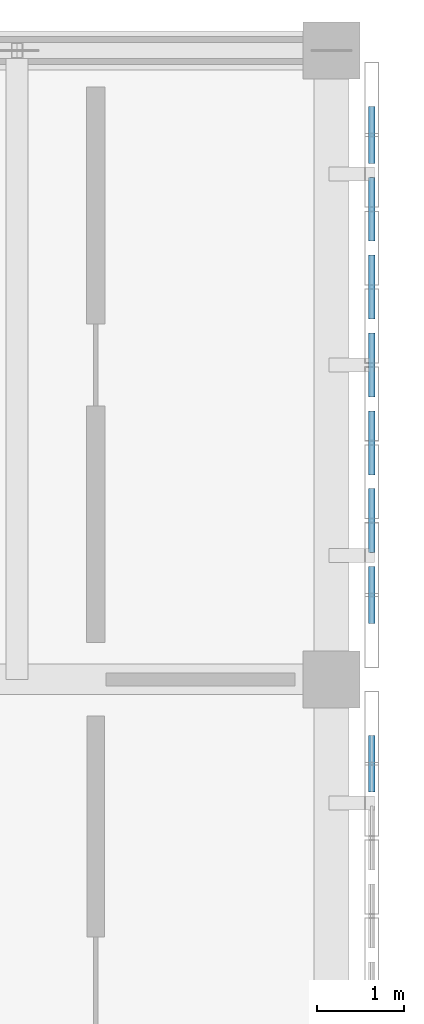
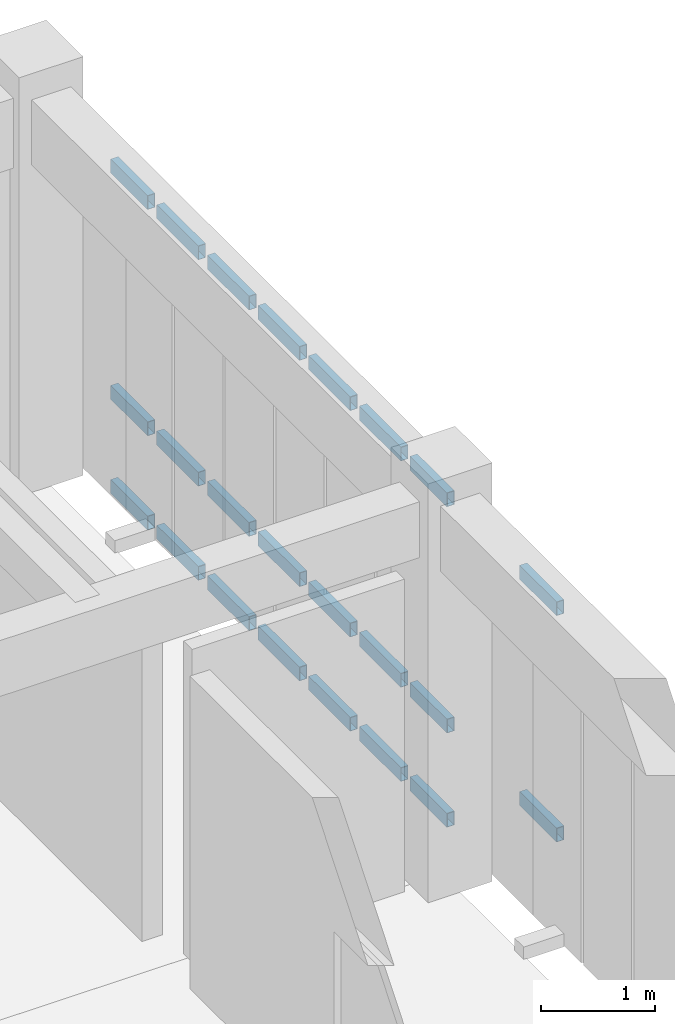
# One storey, part 91 of 171: 23 members, 2 elements without a shape of their own.
"""IFC4 building model written with IfcOpenShell, lengths in metres."""

from ifc_helpers import new_model, si_unit, direction, frame, origin, origin_2d, place, context, subcontext, project, spatial, hollow_rectangle, extrude, material, material_profile, profile_set, type_object, element, aggregate, save


model = new_model("IFC4")

# Units and contexts
model_context = context("Model", 3, precision=1e-05, world=origin(), true_north=direction((0.0, 1.0)))
body_context = subcontext(model_context, "Body", "Model", "MODEL_VIEW")
ifc_project = project(units=[si_unit("LENGTHUNIT", "METRE"), si_unit("AREAUNIT", "SQUARE_METRE"), si_unit("VOLUMEUNIT", "CUBIC_METRE"), si_unit("PLANEANGLEUNIT", "RADIAN"), si_unit("MASSUNIT", "GRAM", prefix="KILO")], contexts=[model_context])

# Site, building, storey
site_placement = place(None, origin())
site = spatial("IfcSite", under=ifc_project, at=site_placement, CompositionType="ELEMENT")
building_placement = place(site_placement, origin())
building = spatial("IfcBuilding", under=site, at=building_placement, Name="Aldebral Square Health Centre", CompositionType="ELEMENT")
storey_placement = place(building_placement, frame((0.0, 0.0, 4.5)))
storey = spatial("IfcBuildingStorey", under=building, at=storey_placement, Name="L01", CompositionType="ELEMENT", Elevation=4.5)

# Curtain wall, members
ifc_material_1 = material(Name="Aluminium and low-E solar glass", Category="aluminium")
curtain_wall_type = type_object("IfcCurtainWallType", Name="CW-FIN-SYS", PredefinedType="USERDEFINED", material=ifc_material_1)
curtain_wall_1_placement = place(storey_placement, origin())
curtain_wall_1 = element("IfcCurtainWall", 1, at=curtain_wall_1_placement, inside=storey, type_object=curtain_wall_type, Name="L01 V5 finned curtain wall L01-V5-22-14-E", ObjectType="SOLAR_CURTAIN_WALL", PredefinedType="USERDEFINED")
ifc_material_2 = material(Name="Anodised aluminium transom", Category="aluminium")
ifc_material_profile = material_profile(ifc_material_2, hollow_rectangle(XDim=0.074951171875, YDim=0.14990234375, WallThickness=0.00390625, at=origin_2d()), Name="CWT 75x150x4")
ifc_profile_set = profile_set([ifc_material_profile], Name="Anodised aluminium transom")
member_type = type_object("IfcMemberType", Name="CWT-STD", PredefinedType="USERDEFINED", material=ifc_profile_set)
member_1_placement = place(storey_placement, frame((166.06005859375, 106.70849609375, 1.050048828125), z_axis=(0.0, 1.0, 0.0), x_axis=(-1.0, 0.0, 0.0)))
member_1 = element("IfcMember", 2, at=member_1_placement, type_object=member_type, Name="CW1 transom 7.2", ObjectType="TRANSOM", PredefinedType="USERDEFINED", context=body_context, shape_type="SweptSolid", body=[
    extrude(hollow_rectangle(XDim=0.074951171875, YDim=0.14990234375, WallThickness=0.00390625, at=origin_2d()), origin(), (0.0, 0.0, 1.0), 0.651611328125),
])
member_2_placement = place(storey_placement, frame((166.06005859375, 106.70849609375, 3.482421875), z_axis=(0.0, 1.0, 0.0), x_axis=(-1.0, 0.0, 0.0)))
member_2 = element("IfcMember", 3, at=member_2_placement, type_object=member_type, Name="CW1 transom 7.3", ObjectType="TRANSOM", PredefinedType="USERDEFINED", context=body_context, shape_type="SweptSolid", body=[
    extrude(hollow_rectangle(XDim=0.074951171875, YDim=0.14990234375, WallThickness=0.00390625, at=origin_2d()), origin(), (0.0, 0.0, 1.0), 0.651611328125),
])
aggregate(curtain_wall_1, [member_1, member_2])

curtain_wall_2_placement = place(storey_placement, origin())
curtain_wall_2 = element("IfcCurtainWall", 4, at=curtain_wall_2_placement, inside=storey, type_object=curtain_wall_type, Name="L01 V5 finned curtain wall L01-V5-22-15-E", ObjectType="SOLAR_CURTAIN_WALL", PredefinedType="USERDEFINED")
member_3_placement = place(storey_placement, frame((166.06005859375, 108.639892578125, 0.03759765625), z_axis=(0.0, 1.0, 0.0), x_axis=(-1.0, 0.0, 0.0)))
member_3 = element("IfcMember", 5, at=member_3_placement, type_object=member_type, Name="CW1 transom 1.1", ObjectType="TRANSOM", PredefinedType="USERDEFINED", context=body_context, shape_type="SweptSolid", body=[
    extrude(hollow_rectangle(XDim=0.074951171875, YDim=0.14990234375, WallThickness=0.00390625, at=origin_2d()), origin(), (0.0, 0.0, 1.0), 0.651611328125),
])
member_4_placement = place(storey_placement, frame((166.06005859375, 108.639892578125, 1.050048828125), z_axis=(0.0, 1.0, 0.0), x_axis=(-1.0, 0.0, 0.0)))
member_4 = element("IfcMember", 6, at=member_4_placement, type_object=member_type, Name="CW1 transom 1.2", ObjectType="TRANSOM", PredefinedType="USERDEFINED", context=body_context, shape_type="SweptSolid", body=[
    extrude(hollow_rectangle(XDim=0.074951171875, YDim=0.14990234375, WallThickness=0.00390625, at=origin_2d()), origin(), (0.0, 0.0, 1.0), 0.651611328125),
])
member_5_placement = place(storey_placement, frame((166.06005859375, 108.639892578125, 3.482421875), z_axis=(0.0, 1.0, 0.0), x_axis=(-1.0, 0.0, 0.0)))
member_5 = element("IfcMember", 7, at=member_5_placement, type_object=member_type, Name="CW1 transom 1.3", ObjectType="TRANSOM", PredefinedType="USERDEFINED", context=body_context, shape_type="SweptSolid", body=[
    extrude(hollow_rectangle(XDim=0.074951171875, YDim=0.14990234375, WallThickness=0.00390625, at=origin_2d()), origin(), (0.0, 0.0, 1.0), 0.651611328125),
])
member_6_placement = place(storey_placement, frame((166.06005859375, 109.451416015625, 0.03759765625), z_axis=(0.0, 1.0, 0.0), x_axis=(-1.0, 0.0, 0.0)))
member_6 = element("IfcMember", 8, at=member_6_placement, type_object=member_type, Name="CW1 transom 2.1", ObjectType="TRANSOM", PredefinedType="USERDEFINED", context=body_context, shape_type="SweptSolid", body=[
    extrude(hollow_rectangle(XDim=0.074951171875, YDim=0.14990234375, WallThickness=0.00390625, at=origin_2d()), origin(), (0.0, 0.0, 1.0), 0.7314453125),
])
member_7_placement = place(storey_placement, frame((166.06005859375, 109.451416015625, 1.050048828125), z_axis=(0.0, 1.0, 0.0), x_axis=(-1.0, 0.0, 0.0)))
member_7 = element("IfcMember", 9, at=member_7_placement, type_object=member_type, Name="CW1 transom 2.2", ObjectType="TRANSOM", PredefinedType="USERDEFINED", context=body_context, shape_type="SweptSolid", body=[
    extrude(hollow_rectangle(XDim=0.074951171875, YDim=0.14990234375, WallThickness=0.00390625, at=origin_2d()), origin(), (0.0, 0.0, 1.0), 0.7314453125),
])
member_8_placement = place(storey_placement, frame((166.06005859375, 109.451416015625, 3.482421875), z_axis=(0.0, 1.0, 0.0), x_axis=(-1.0, 0.0, 0.0)))
member_8 = element("IfcMember", 10, at=member_8_placement, type_object=member_type, Name="CW1 transom 2.3", ObjectType="TRANSOM", PredefinedType="USERDEFINED", context=body_context, shape_type="SweptSolid", body=[
    extrude(hollow_rectangle(XDim=0.074951171875, YDim=0.14990234375, WallThickness=0.00390625, at=origin_2d()), origin(), (0.0, 0.0, 1.0), 0.7314453125),
])
member_9_placement = place(storey_placement, frame((166.06005859375, 110.3427734375, 0.03759765625), z_axis=(0.0, 1.0, 0.0), x_axis=(-1.0, 0.0, 0.0)))
member_9 = element("IfcMember", 11, at=member_9_placement, type_object=member_type, Name="CW1 transom 3.1", ObjectType="TRANSOM", PredefinedType="USERDEFINED", context=body_context, shape_type="SweptSolid", body=[
    extrude(hollow_rectangle(XDim=0.074951171875, YDim=0.14990234375, WallThickness=0.00390625, at=origin_2d()), origin(), (0.0, 0.0, 1.0), 0.7314453125),
])
member_10_placement = place(storey_placement, frame((166.06005859375, 110.3427734375, 1.050048828125), z_axis=(0.0, 1.0, 0.0), x_axis=(-1.0, 0.0, 0.0)))
member_10 = element("IfcMember", 12, at=member_10_placement, type_object=member_type, Name="CW1 transom 3.2", ObjectType="TRANSOM", PredefinedType="USERDEFINED", context=body_context, shape_type="SweptSolid", body=[
    extrude(hollow_rectangle(XDim=0.074951171875, YDim=0.14990234375, WallThickness=0.00390625, at=origin_2d()), origin(), (0.0, 0.0, 1.0), 0.7314453125),
])
member_11_placement = place(storey_placement, frame((166.06005859375, 110.3427734375, 3.482421875), z_axis=(0.0, 1.0, 0.0), x_axis=(-1.0, 0.0, 0.0)))
member_11 = element("IfcMember", 13, at=member_11_placement, type_object=member_type, Name="CW1 transom 3.3", ObjectType="TRANSOM", PredefinedType="USERDEFINED", context=body_context, shape_type="SweptSolid", body=[
    extrude(hollow_rectangle(XDim=0.074951171875, YDim=0.14990234375, WallThickness=0.00390625, at=origin_2d()), origin(), (0.0, 0.0, 1.0), 0.7314453125),
])
member_12_placement = place(storey_placement, frame((166.06005859375, 111.234375, 0.03759765625), z_axis=(0.0, 1.0, 0.0), x_axis=(-1.0, 0.0, 0.0)))
member_12 = element("IfcMember", 14, at=member_12_placement, type_object=member_type, Name="CW1 transom 4.1", ObjectType="TRANSOM", PredefinedType="USERDEFINED", context=body_context, shape_type="SweptSolid", body=[
    extrude(hollow_rectangle(XDim=0.074951171875, YDim=0.14990234375, WallThickness=0.00390625, at=origin_2d()), origin(), (0.0, 0.0, 1.0), 0.7314453125),
])
member_13_placement = place(storey_placement, frame((166.06005859375, 111.234375, 1.050048828125), z_axis=(0.0, 1.0, 0.0), x_axis=(-1.0, 0.0, 0.0)))
member_13 = element("IfcMember", 15, at=member_13_placement, type_object=member_type, Name="CW1 transom 4.2", ObjectType="TRANSOM", PredefinedType="USERDEFINED", context=body_context, shape_type="SweptSolid", body=[
    extrude(hollow_rectangle(XDim=0.074951171875, YDim=0.14990234375, WallThickness=0.00390625, at=origin_2d()), origin(), (0.0, 0.0, 1.0), 0.7314453125),
])
member_14_placement = place(storey_placement, frame((166.06005859375, 111.234375, 3.482421875), z_axis=(0.0, 1.0, 0.0), x_axis=(-1.0, 0.0, 0.0)))
member_14 = element("IfcMember", 16, at=member_14_placement, type_object=member_type, Name="CW1 transom 4.3", ObjectType="TRANSOM", PredefinedType="USERDEFINED", context=body_context, shape_type="SweptSolid", body=[
    extrude(hollow_rectangle(XDim=0.074951171875, YDim=0.14990234375, WallThickness=0.00390625, at=origin_2d()), origin(), (0.0, 0.0, 1.0), 0.7314453125),
])
member_15_placement = place(storey_placement, frame((166.06005859375, 112.125732421875, 0.03759765625), z_axis=(0.0, 1.0, 0.0), x_axis=(-1.0, 0.0, 0.0)))
member_15 = element("IfcMember", 17, at=member_15_placement, type_object=member_type, Name="CW1 transom 5.1", ObjectType="TRANSOM", PredefinedType="USERDEFINED", context=body_context, shape_type="SweptSolid", body=[
    extrude(hollow_rectangle(XDim=0.074951171875, YDim=0.14990234375, WallThickness=0.00390625, at=origin_2d()), origin(), (0.0, 0.0, 1.0), 0.7314453125),
])
member_16_placement = place(storey_placement, frame((166.06005859375, 112.125732421875, 1.050048828125), z_axis=(0.0, 1.0, 0.0), x_axis=(-1.0, 0.0, 0.0)))
member_16 = element("IfcMember", 18, at=member_16_placement, type_object=member_type, Name="CW1 transom 5.2", ObjectType="TRANSOM", PredefinedType="USERDEFINED", context=body_context, shape_type="SweptSolid", body=[
    extrude(hollow_rectangle(XDim=0.074951171875, YDim=0.14990234375, WallThickness=0.00390625, at=origin_2d()), origin(), (0.0, 0.0, 1.0), 0.7314453125),
])
member_17_placement = place(storey_placement, frame((166.06005859375, 112.125732421875, 3.482421875), z_axis=(0.0, 1.0, 0.0), x_axis=(-1.0, 0.0, 0.0)))
member_17 = element("IfcMember", 19, at=member_17_placement, type_object=member_type, Name="CW1 transom 5.3", ObjectType="TRANSOM", PredefinedType="USERDEFINED", context=body_context, shape_type="SweptSolid", body=[
    extrude(hollow_rectangle(XDim=0.074951171875, YDim=0.14990234375, WallThickness=0.00390625, at=origin_2d()), origin(), (0.0, 0.0, 1.0), 0.7314453125),
])
member_18_placement = place(storey_placement, frame((166.06005859375, 113.01708984375, 0.03759765625), z_axis=(0.0, 1.0, 0.0), x_axis=(-1.0, 0.0, 0.0)))
member_18 = element("IfcMember", 20, at=member_18_placement, type_object=member_type, Name="CW1 transom 6.1", ObjectType="TRANSOM", PredefinedType="USERDEFINED", context=body_context, shape_type="SweptSolid", body=[
    extrude(hollow_rectangle(XDim=0.074951171875, YDim=0.14990234375, WallThickness=0.00390625, at=origin_2d()), origin(), (0.0, 0.0, 1.0), 0.7314453125),
])
member_19_placement = place(storey_placement, frame((166.06005859375, 113.01708984375, 1.050048828125), z_axis=(0.0, 1.0, 0.0), x_axis=(-1.0, 0.0, 0.0)))
member_19 = element("IfcMember", 21, at=member_19_placement, type_object=member_type, Name="CW1 transom 6.2", ObjectType="TRANSOM", PredefinedType="USERDEFINED", context=body_context, shape_type="SweptSolid", body=[
    extrude(hollow_rectangle(XDim=0.074951171875, YDim=0.14990234375, WallThickness=0.00390625, at=origin_2d()), origin(), (0.0, 0.0, 1.0), 0.7314453125),
])
member_20_placement = place(storey_placement, frame((166.06005859375, 113.01708984375, 3.482421875), z_axis=(0.0, 1.0, 0.0), x_axis=(-1.0, 0.0, 0.0)))
member_20 = element("IfcMember", 22, at=member_20_placement, type_object=member_type, Name="CW1 transom 6.3", ObjectType="TRANSOM", PredefinedType="USERDEFINED", context=body_context, shape_type="SweptSolid", body=[
    extrude(hollow_rectangle(XDim=0.074951171875, YDim=0.14990234375, WallThickness=0.00390625, at=origin_2d()), origin(), (0.0, 0.0, 1.0), 0.7314453125),
])
member_21_placement = place(storey_placement, frame((166.06005859375, 113.90869140625, 0.03759765625), z_axis=(0.0, 1.0, 0.0), x_axis=(-1.0, 0.0, 0.0)))
member_21 = element("IfcMember", 23, at=member_21_placement, type_object=member_type, Name="CW1 transom 7.1", ObjectType="TRANSOM", PredefinedType="USERDEFINED", context=body_context, shape_type="SweptSolid", body=[
    extrude(hollow_rectangle(XDim=0.074951171875, YDim=0.14990234375, WallThickness=0.00390625, at=origin_2d()), origin(), (0.0, 0.0, 1.0), 0.6513671875),
])
member_22_placement = place(storey_placement, frame((166.06005859375, 113.90869140625, 1.050048828125), z_axis=(0.0, 1.0, 0.0), x_axis=(-1.0, 0.0, 0.0)))
member_22 = element("IfcMember", 24, at=member_22_placement, type_object=member_type, Name="CW1 transom 7.2", ObjectType="TRANSOM", PredefinedType="USERDEFINED", context=body_context, shape_type="SweptSolid", body=[
    extrude(hollow_rectangle(XDim=0.074951171875, YDim=0.14990234375, WallThickness=0.00390625, at=origin_2d()), origin(), (0.0, 0.0, 1.0), 0.6513671875),
])
member_23_placement = place(storey_placement, frame((166.06005859375, 113.90869140625, 3.482421875), z_axis=(0.0, 1.0, 0.0), x_axis=(-1.0, 0.0, 0.0)))
member_23 = element("IfcMember", 25, at=member_23_placement, type_object=member_type, Name="CW1 transom 7.3", ObjectType="TRANSOM", PredefinedType="USERDEFINED", context=body_context, shape_type="SweptSolid", body=[
    extrude(hollow_rectangle(XDim=0.074951171875, YDim=0.14990234375, WallThickness=0.00390625, at=origin_2d()), origin(), (0.0, 0.0, 1.0), 0.6513671875),
])
aggregate(curtain_wall_2, [member_3, member_4, member_5, member_6, member_7, member_8, member_9, member_10, member_11, member_12, member_13, member_14, member_15, member_16, member_17, member_18, member_19, member_20, member_21, member_22, member_23])

save(model, "model.ifc")
